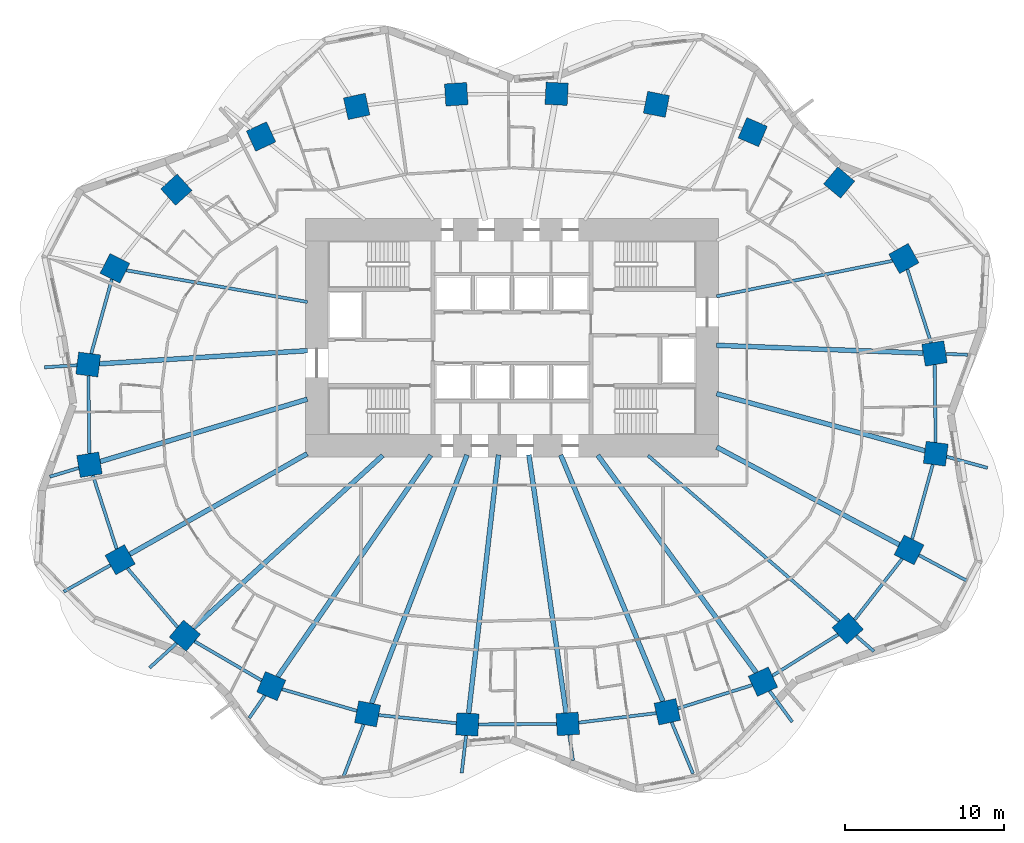
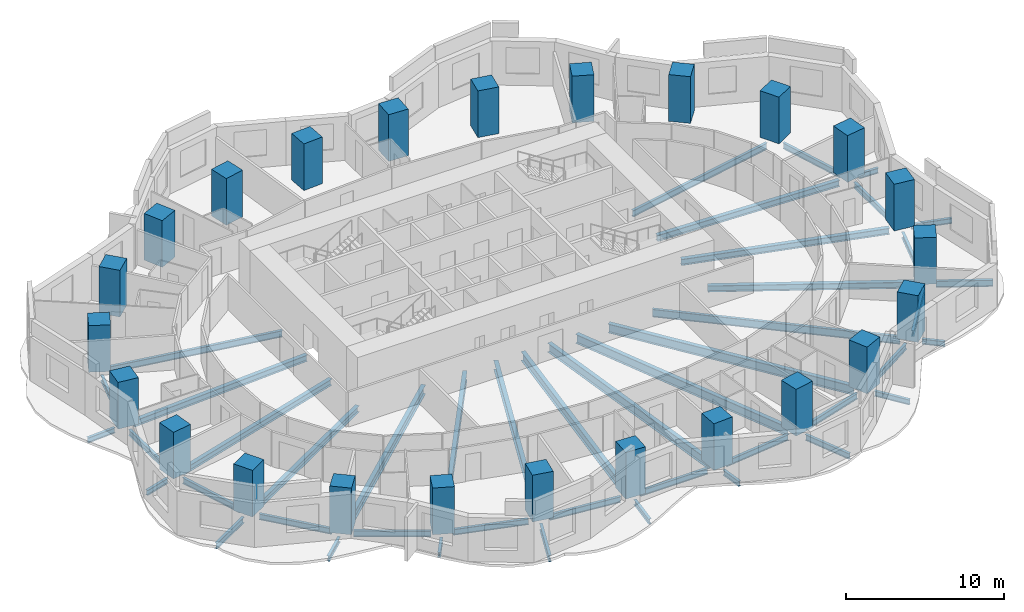
# One storey, part 1 of 11: 45 beams, 24 columns.
"""IFC4 building model written with IfcOpenShell, lengths in metres."""

from ifc_helpers import new_model, si_unit, direction, frame, origin, origin_2d, place, context, subcontext, project, spatial, rectangle, i_section, extrude, material, material_profile, profile_set, type_object, element, save


model = new_model("IFC4")

# Units and contexts
model_context = context("Model", 3, precision=1e-05, world=origin(), true_north=direction((0.0, 1.0)))
body_context = subcontext(model_context, "Body", "Model", "MODEL_VIEW")
ifc_project = project(units=[si_unit("LENGTHUNIT", "METRE"), si_unit("AREAUNIT", "SQUARE_METRE"), si_unit("VOLUMEUNIT", "CUBIC_METRE"), si_unit("PLANEANGLEUNIT", "RADIAN"), si_unit("MASSUNIT", "GRAM", prefix="KILO")], contexts=[model_context])

# Site, building, storey
site_placement = place(None, origin())
site = spatial("IfcSite", under=ifc_project, at=site_placement, CompositionType="ELEMENT")
building_placement = place(site_placement, origin())
building = spatial("IfcBuilding", under=site, at=building_placement, Name="Rubra Terraces Tower", CompositionType="ELEMENT")
storey_placement = place(building_placement, frame((0.0, 0.0, 51.89990234375)))
storey = spatial("IfcBuildingStorey", under=building, at=storey_placement, Name="L10", CompositionType="ELEMENT", Elevation=51.89990234375)

# Columns
ifc_material_1 = material(Name="Concrete C60", Category="concrete")
ifc_material_profile_1 = material_profile(ifc_material_1, rectangle(XDim=1.39990234375, YDim=1.39990234375, at=origin_2d()), Name="RC 1400x1400")
ifc_profile_set_1 = profile_set([ifc_material_profile_1], Name="Concrete C60")
column_type = type_object("IfcColumnType", Name="RING COLUMN RC 1400x1400 C60", PredefinedType="COLUMN", material=ifc_profile_set_1)
for number, where, z_axis, x_axis, name in (
    (1, (26.60498046875, 3.5029296875, 0.0), (0.0, 0.0, 1.0), (-0.161234051287, 0.986916197408, 0.0), "column-L10-ring-01"),
    (2, (24.676025390625, 9.48291015625, 0.0), (0.0, 0.0, 1.0), (-0.487226597714, 0.873275582208, 0.0), "column-L10-ring-02"),
    (3, (20.60009765625, 14.26611328125, 0.0), (0.0, 0.0, 1.0), (-0.767209547574, 0.641396531104, 0.0), "column-L10-ring-03"),
    (4, (15.156982421875, 17.44091796875, 0.0), (0.0, 0.0, 1.0), (-0.919293738002, 0.393572132232, 0.0), "column-L10-ring-04"),
    (5, (9.093994140625, 19.19189453125, 0.0), (0.0, 0.0, 1.0), (-0.981430410798, 0.191818530806, 0.0), "column-L10-ring-05"),
    (6, (2.81103515625, 19.85400390625, 0.0), (0.0, 0.0, 1.0), (-0.99874501614, 0.050083857035, 0.0), "column-L10-ring-06"),
    (7, (-3.509033203125, 19.823974609375, 0.0), (0.0, 0.0, 1.0), (-0.9980076013, -0.063093801177, 0.0), "column-L10-ring-07"),
    (8, (-9.780029296875, 19.05810546875, 0.0), (0.0, 0.0, 1.0), (-0.977386186482, -0.211462153764, 0.0), "column-L10-ring-08"),
    (9, (-15.799072265625, 17.1650390625, 0.0), (0.0, 0.0, 1.0), (-0.907952363445, -0.419073389413, 0.0), "column-L10-ring-09"),
    (10, (-21.135009765625, 13.81689453125, 0.0), (0.0, 0.0, 1.0), (-0.742675944539, -0.66965098477, 0.0), "column-L10-ring-10"),
    (11, (-25.0029296875, 8.865966796875, 0.0), (0.0, 0.0, 1.0), (-0.450098906028, -0.892978709036, 0.0), "column-L10-ring-11"),
    (12, (-26.68408203125, 2.80810546875, 0.0), (0.0, 0.0, 1.0), (-0.128444510405, -0.991716697322, 0.0), "column-L10-ring-12"),
    (13, (-26.60498046875, -3.5029296875, 0.0), (0.0, 0.0, 1.0), (0.161234051287, -0.986916197408, 0.0), "column-L10-ring-13"),
    (14, (-24.676025390625, -9.48291015625, 0.0), (0.0, 0.0, 1.0), (0.487226597714, -0.873275582208, 0.0), "column-L10-ring-14"),
    (15, (-20.60009765625, -14.26611328125, 0.0), (0.0, 0.0, 1.0), (0.767209547574, -0.641396531104, 0.0), "column-L10-ring-15"),
    (16, (-15.156982421875, -17.44091796875, 0.0), (0.0, 0.0, 1.0), (0.919293738002, -0.393572132232, 0.0), "column-L10-ring-16"),
    (17, (-9.093994140625, -19.19189453125, 0.0), (0.0, 0.0, 1.0), (0.981430410798, -0.191818530806, 0.0), "column-L10-ring-17"),
    (18, (-2.81103515625, -19.85400390625, 0.0), (0.0, 0.0, 1.0), (0.99874501614, -0.050083857035, 0.0), "column-L10-ring-18"),
    (19, (3.509033203125, -19.823974609375, 0.0), (0.0, 0.0, 1.0), (0.9980076013, 0.063093801177, 0.0), "column-L10-ring-19"),
    (20, (9.780029296875, -19.05810546875, 0.0), (0.0, 0.0, 1.0), (0.977386186482, 0.211462153764, 0.0), "column-L10-ring-20"),
    (21, (15.799072265625, -17.1650390625, 0.0), (0.0, 0.0, 1.0), (0.907952363445, 0.419073389413, 0.0), "column-L10-ring-21"),
    (22, (21.135009765625, -13.81689453125, 0.0), (0.0, 0.0, 1.0), (0.742675944539, 0.66965098477, 0.0), "column-L10-ring-22"),
    (23, (25.0029296875, -8.865966796875, 0.0), (0.0, 0.0, 1.0), (0.450098906028, 0.892978709036, 0.0), "column-L10-ring-23"),
    (24, (26.68408203125, -2.80810546875, 0.0), (0.0, 0.0, 1.0), (0.128444510405, 0.991716697322, 0.0), "column-L10-ring-24"),
):
    element("IfcColumn", number, at=place(storey_placement, frame(where, z_axis=z_axis, x_axis=x_axis)), inside=storey, type_object=column_type, Name=name, PredefinedType="COLUMN", context=body_context, shape_type="SweptSolid", body=[
        extrude(rectangle(XDim=1.39990234375, YDim=1.39990234375, at=origin_2d()), origin(), (0.0, 0.0, 1.0), 3.60009765625),
    ])

# Beams
ifc_material_2 = material(Name="Steel Q355B", Category="steel")
ifc_material_profile_2 = material_profile(ifc_material_2, i_section(OverallWidth=0.199951171875, OverallDepth=0.39990234375, WebThickness=0.008056640625, FlangeThickness=0.012939453125, at=origin_2d()), Name="HN 400x200x8x13")
ifc_profile_set_2 = profile_set([ifc_material_profile_2], Name="Steel Q355B")
beam_type_1 = type_object("IfcBeamType", Name="CANTILEVER BEAM HN 400x200x8x13", PredefinedType="BEAM", material=ifc_profile_set_2)
beam_1_placement = place(storey_placement, frame((-27.39599609375, 2.762939453125, -0.39990234375), z_axis=(-0.997987100921, -0.063417240527, 0.0), x_axis=(0.063417240527, -0.997987100921, 0.0)))
element("IfcBeam", 25, at=beam_1_placement, inside=storey, type_object=beam_type_1, Name="beam-L10-cant-12", PredefinedType="BEAM", context=body_context, shape_type="SweptSolid", body=[
    extrude(i_section(OverallWidth=0.199951171875, OverallDepth=0.39990234375, WebThickness=0.008056640625, FlangeThickness=0.012939453125, at=origin_2d()), origin(), (0.0, 0.0, 1.0), 2.048095703125),
])
beam_2_placement = place(storey_placement, frame((-27.281005859375, -3.7060546875, -0.39990234375), z_axis=(-0.957547006663, -0.288277175703, 0.0), x_axis=(0.288277175703, -0.957547006663, 0.0)))
element("IfcBeam", 26, at=beam_2_placement, inside=storey, type_object=beam_type_1, Name="beam-L10-cant-13", PredefinedType="BEAM", context=body_context, shape_type="SweptSolid", body=[
    extrude(i_section(OverallWidth=0.199951171875, OverallDepth=0.39990234375, WebThickness=0.008056640625, FlangeThickness=0.012939453125, at=origin_2d()), origin(), (0.0, 0.0, 1.0), 1.90380859375),
])
beam_3_placement = place(storey_placement, frame((-21.1220703125, -14.741943359375, -0.39990234375), z_axis=(-0.739203396286, -0.673482248407, 0.0), x_axis=(0.673482248407, -0.739203396286, 0.0)))
element("IfcBeam", 27, at=beam_3_placement, inside=storey, type_object=beam_type_1, Name="beam-L10-cant-15", PredefinedType="BEAM", context=body_context, shape_type="SweptSolid", body=[
    extrude(i_section(OverallWidth=0.199951171875, OverallDepth=0.39990234375, WebThickness=0.008056640625, FlangeThickness=0.012939453125, at=origin_2d()), origin(), (0.0, 0.0, 1.0), 2.295654296875),
])
beam_4_placement = place(storey_placement, frame((-15.56298828125, -18.029052734375, -0.39990234375), z_axis=(-0.568372795254, -0.822771150208, 0.0), x_axis=(0.822771150208, -0.568372795254, 0.0)))
element("IfcBeam", 28, at=beam_4_placement, inside=storey, type_object=beam_type_1, Name="beam-L10-cant-16", PredefinedType="BEAM", context=body_context, shape_type="SweptSolid", body=[
    extrude(i_section(OverallWidth=0.199951171875, OverallDepth=0.39990234375, WebThickness=0.008056640625, FlangeThickness=0.012939453125, at=origin_2d()), origin(), (0.0, 0.0, 1.0), 1.729248046875),
])
beam_5_placement = place(storey_placement, frame((-2.89111328125, -20.551025390625, -0.39990234375), z_axis=(-0.115009274268, -0.993364417942, 0.0), x_axis=(0.993364417942, -0.115009274268, 0.0)))
element("IfcBeam", 29, at=beam_5_placement, inside=storey, type_object=beam_type_1, Name="beam-L10-cant-18", PredefinedType="BEAM", context=body_context, shape_type="SweptSolid", body=[
    extrude(i_section(OverallWidth=0.199951171875, OverallDepth=0.39990234375, WebThickness=0.008056640625, FlangeThickness=0.012939453125, at=origin_2d()), origin(), (0.0, 0.0, 1.0), 2.3818359375),
])
beam_6_placement = place(storey_placement, frame((3.60888671875, -20.51904296875, -0.39990234375), z_axis=(0.143199401523, -0.989693857414, 0.0), x_axis=(0.989693857414, 0.143199401523, 0.0)))
element("IfcBeam", 30, at=beam_6_placement, inside=storey, type_object=beam_type_1, Name="beam-L10-cant-19", PredefinedType="BEAM", context=body_context, shape_type="SweptSolid", body=[
    extrude(i_section(OverallWidth=0.199951171875, OverallDepth=0.39990234375, WebThickness=0.008056640625, FlangeThickness=0.012939453125, at=origin_2d()), origin(), (0.0, 0.0, 1.0), 1.614501953125),
])
beam_7_placement = place(storey_placement, frame((16.219970703125, -17.741943359375, -0.39990234375), z_axis=(0.589172157449, -0.808007530216, 0.0), x_axis=(0.808007530216, 0.589172157449, 0.0)))
element("IfcBeam", 31, at=beam_7_placement, inside=storey, type_object=beam_type_1, Name="beam-L10-cant-21", PredefinedType="BEAM", context=body_context, shape_type="SweptSolid", body=[
    extrude(i_section(OverallWidth=0.199951171875, OverallDepth=0.39990234375, WebThickness=0.008056640625, FlangeThickness=0.012939453125, at=origin_2d()), origin(), (0.0, 0.0, 1.0), 2.422119140625),
])
beam_8_placement = place(storey_placement, frame((21.66796875, -14.279052734375, -0.39990234375), z_axis=(0.755672764908, -0.654949366269, 0.0), x_axis=(0.654949366269, 0.755672764908, 0.0)))
element("IfcBeam", 32, at=beam_8_placement, inside=storey, type_object=beam_type_1, Name="beam-L10-cant-22", PredefinedType="BEAM", context=body_context, shape_type="SweptSolid", body=[
    extrude(i_section(OverallWidth=0.199951171875, OverallDepth=0.39990234375, WebThickness=0.008056640625, FlangeThickness=0.012939453125, at=origin_2d()), origin(), (0.0, 0.0, 1.0), 1.48095703125),
])
beam_9_placement = place(storey_placement, frame((27.365966796875, -2.9951171875, -0.39990234375), z_axis=(0.964544084277, -0.263921786684, 0.0), x_axis=(0.263921786684, 0.964544084277, 0.0)))
element("IfcBeam", 33, at=beam_9_placement, inside=storey, type_object=beam_type_1, Name="beam-L10-cant-24", PredefinedType="BEAM", context=body_context, shape_type="SweptSolid", body=[
    extrude(i_section(OverallWidth=0.199951171875, OverallDepth=0.39990234375, WebThickness=0.008056640625, FlangeThickness=0.012939453125, at=origin_2d()), origin(), (0.0, 0.0, 1.0), 2.670654296875),
])
ifc_material_profile_3 = material_profile(ifc_material_2, i_section(OverallWidth=0.198974609375, OverallDepth=0.446044921875, WebThickness=0.008056640625, FlangeThickness=0.011962890625, at=origin_2d()), Name="HN 446x199x8x12")
ifc_profile_set_3 = profile_set([ifc_material_profile_3], Name="Steel Q355B")
beam_type_2 = type_object("IfcBeamType", Name="CANTILEVER BEAM HN 446x199x8x12", PredefinedType="BEAM", material=ifc_profile_set_3)
beam_10_placement = place(storey_placement, frame((-25.284912109375, -9.827880859375, -0.4228515625), z_axis=(-0.869963288166, -0.493116494596, 0.0), x_axis=(0.493116494596, -0.869963288166, 0.0)))
element("IfcBeam", 34, at=beam_10_placement, inside=storey, type_object=beam_type_2, Name="beam-L10-cant-14", PredefinedType="BEAM", context=body_context, shape_type="SweptSolid", body=[
    extrude(i_section(OverallWidth=0.198974609375, OverallDepth=0.446044921875, WebThickness=0.008056640625, FlangeThickness=0.011962890625, at=origin_2d()), origin(), (0.0, 0.0, 1.0), 3.378662109375),
])
beam_11_placement = place(storey_placement, frame((10.052978515625, -19.715087890625, -0.4228515625), z_axis=(0.383477452427, -0.923550238742, 0.0), x_axis=(0.923550238742, 0.383477452427, 0.0)))
element("IfcBeam", 35, at=beam_11_placement, inside=storey, type_object=beam_type_2, Name="beam-L10-cant-20", PredefinedType="BEAM", context=body_context, shape_type="SweptSolid", body=[
    extrude(i_section(OverallWidth=0.198974609375, OverallDepth=0.446044921875, WebThickness=0.008056640625, FlangeThickness=0.011962890625, at=origin_2d()), origin(), (0.0, 0.0, 1.0), 3.504638671875),
])
ifc_material_profile_4 = material_profile(ifc_material_2, i_section(OverallWidth=0.198974609375, OverallDepth=0.49609375, WebThickness=0.009033203125, FlangeThickness=0.013916015625, at=origin_2d()), Name="HN 496x199x9x14")
ifc_profile_set_4 = profile_set([ifc_material_profile_4], Name="Steel Q355B")
beam_type_3 = type_object("IfcBeamType", Name="CANTILEVER BEAM HN 496x199x9x14", PredefinedType="BEAM", material=ifc_profile_set_4)
beam_12_placement = place(storey_placement, frame((-9.34912109375, -19.85498046875, -0.447998046875), z_axis=(-0.358128312142, -0.933672379393, 0.0), x_axis=(0.933672379393, -0.358128312142, 0.0)))
element("IfcBeam", 36, at=beam_12_placement, inside=storey, type_object=beam_type_3, Name="beam-L10-cant-17", PredefinedType="BEAM", context=body_context, shape_type="SweptSolid", body=[
    extrude(i_section(OverallWidth=0.198974609375, OverallDepth=0.49609375, WebThickness=0.009033203125, FlangeThickness=0.013916015625, at=origin_2d()), origin(), (0.0, 0.0, 1.0), 3.61572265625),
])
beam_13_placement = place(storey_placement, frame((25.62109375, -9.196044921875, -0.447998046875), z_axis=(0.881799105952, -0.471625207917, 0.0), x_axis=(0.471625207917, 0.881799105952, 0.0)))
element("IfcBeam", 37, at=beam_13_placement, inside=storey, type_object=beam_type_3, Name="beam-L10-cant-23", PredefinedType="BEAM", context=body_context, shape_type="SweptSolid", body=[
    extrude(i_section(OverallWidth=0.198974609375, OverallDepth=0.49609375, WebThickness=0.009033203125, FlangeThickness=0.013916015625, at=origin_2d()), origin(), (0.0, 0.0, 1.0), 3.591552734375),
])
ifc_material_profile_5 = material_profile(ifc_material_2, i_section(OverallWidth=0.199951171875, OverallDepth=0.39990234375, WebThickness=0.008056640625, FlangeThickness=0.012939453125, at=origin_2d()), Name="HN 400x200x8x13")
ifc_profile_set_5 = profile_set([ifc_material_profile_5], Name="Steel Q355B")
beam_type_4 = type_object("IfcBeamType", Name="CANTILEVER STUB HN 400x200x8x13", PredefinedType="BEAM", material=ifc_profile_set_5)
beam_14_placement = place(storey_placement, frame((27.319091796875, 3.47607421875, -0.39990234375), z_axis=(0.99929272243, -0.037603921316, 0.0), x_axis=(0.037603921316, 0.99929272243, 0.0)))
element("IfcBeam", 38, at=beam_14_placement, inside=storey, type_object=beam_type_4, Name="beam-L10-cant-01", PredefinedType="BEAM", context=body_context, shape_type="SweptSolid", body=[
    extrude(i_section(OverallWidth=0.199951171875, OverallDepth=0.39990234375, WebThickness=0.008056640625, FlangeThickness=0.012939453125, at=origin_2d()), origin(), (0.0, 0.0, 1.0), 1.35693359375),
])
ifc_material_profile_6 = material_profile(ifc_material_2, i_section(OverallWidth=0.300048828125, OverallDepth=0.48193359375, WebThickness=0.010986328125, FlangeThickness=0.014892578125, at=origin_2d()), Name="HM 482x300x11x15")
ifc_profile_set_6 = profile_set([ifc_material_profile_6], Name="Steel Q355B")
beam_type_5 = type_object("IfcBeamType", Name="FLOOR BEAM HM 482x300x11x15", PredefinedType="BEAM", material=ifc_profile_set_6)
beam_15_placement = place(storey_placement, frame((25.89111328125, 3.530029296875, -0.44091796875), z_axis=(-0.999300088658, 0.037407657088, 0.0), x_axis=(-0.037407657088, -0.999300088658, 0.0)))
element("IfcBeam", 39, at=beam_15_placement, inside=storey, type_object=beam_type_5, Name="beam-L10-floor-01", PredefinedType="BEAM", context=body_context, shape_type="SweptSolid", body=[
    extrude(i_section(OverallWidth=0.300048828125, OverallDepth=0.48193359375, WebThickness=0.010986328125, FlangeThickness=0.014892578125, at=origin_2d()), origin(), (0.0, 0.0, 1.0), 13.020263671875),
])
beam_16_placement = place(storey_placement, frame((-25.971923828125, 2.85302734375, -0.44091796875), z_axis=(0.997996052936, 0.06327620662, 0.0), x_axis=(-0.06327620662, 0.997996052936, 0.0)))
element("IfcBeam", 40, at=beam_16_placement, inside=storey, type_object=beam_type_5, Name="beam-L10-floor-12", PredefinedType="BEAM", context=body_context, shape_type="SweptSolid", body=[
    extrude(i_section(OverallWidth=0.300048828125, OverallDepth=0.48193359375, WebThickness=0.010986328125, FlangeThickness=0.014892578125, at=origin_2d()), origin(), (0.0, 0.0, 1.0), 13.118408203125),
])
beam_17_placement = place(storey_placement, frame((-25.928955078125, -3.300048828125, -0.44091796875), z_axis=(0.957605991861, 0.288081176671, 0.0), x_axis=(-0.288081176671, 0.957605991861, 0.0)))
element("IfcBeam", 41, at=beam_17_placement, inside=storey, type_object=beam_type_5, Name="beam-L10-floor-13", PredefinedType="BEAM", context=body_context, shape_type="SweptSolid", body=[
    extrude(i_section(OverallWidth=0.300048828125, OverallDepth=0.48193359375, WebThickness=0.010986328125, FlangeThickness=0.014892578125, at=origin_2d()), origin(), (0.0, 0.0, 1.0), 13.621337890625),
])
beam_18_placement = place(storey_placement, frame((-24.06689453125, -9.137939453125, -0.44091796875), z_axis=(0.869992824144, 0.493064383157, 0.0), x_axis=(-0.493064383157, 0.869992824144, 0.0)))
element("IfcBeam", 42, at=beam_18_placement, inside=storey, type_object=beam_type_5, Name="beam-L10-floor-14", PredefinedType="BEAM", context=body_context, shape_type="SweptSolid", body=[
    extrude(i_section(OverallWidth=0.300048828125, OverallDepth=0.48193359375, WebThickness=0.010986328125, FlangeThickness=0.014892578125, at=origin_2d()), origin(), (0.0, 0.0, 1.0), 12.84033203125),
])
beam_19_placement = place(storey_placement, frame((24.385009765625, -8.535888671875, -0.44091796875), z_axis=(-0.881896613876, 0.471442851716, 0.0), x_axis=(-0.471442851716, -0.881896613876, 0.0)))
element("IfcBeam", 43, at=beam_19_placement, inside=storey, type_object=beam_type_5, Name="beam-L10-floor-23", PredefinedType="BEAM", context=body_context, shape_type="SweptSolid", body=[
    extrude(i_section(OverallWidth=0.300048828125, OverallDepth=0.48193359375, WebThickness=0.010986328125, FlangeThickness=0.014892578125, at=origin_2d()), origin(), (0.0, 0.0, 1.0), 13.02978515625),
])
beam_20_placement = place(storey_placement, frame((26.001953125, -2.62109375, -0.44091796875), z_axis=(-0.964494059772, 0.264104541167, 0.0), x_axis=(-0.264104541167, -0.964494059772, 0.0)))
element("IfcBeam", 44, at=beam_20_placement, inside=storey, type_object=beam_type_5, Name="beam-L10-floor-24", PredefinedType="BEAM", context=body_context, shape_type="SweptSolid", body=[
    extrude(i_section(OverallWidth=0.300048828125, OverallDepth=0.48193359375, WebThickness=0.010986328125, FlangeThickness=0.014892578125, at=origin_2d()), origin(), (0.0, 0.0, 1.0), 13.600830078125),
])
ifc_material_profile_7 = material_profile(ifc_material_2, i_section(OverallWidth=0.198974609375, OverallDepth=0.49609375, WebThickness=0.009033203125, FlangeThickness=0.013916015625, at=origin_2d()), Name="HN 496x199x9x14")
ifc_profile_set_7 = profile_set([ifc_material_profile_7], Name="Steel Q355B")
beam_type_6 = type_object("IfcBeamType", Name="FLOOR BEAM HN 496x199x9x14", PredefinedType="BEAM", material=ifc_profile_set_7)
beam_21_placement = place(storey_placement, frame((23.9560546875, 9.337890625, -0.447998046875), z_axis=(-0.980204035637, -0.197990021264, 0.0), x_axis=(0.197990021264, -0.980204035637, 0.0)))
element("IfcBeam", 45, at=beam_21_placement, inside=storey, type_object=beam_type_6, Name="beam-L10-floor-02", PredefinedType="BEAM", context=body_context, shape_type="SweptSolid", body=[
    extrude(i_section(OverallWidth=0.198974609375, OverallDepth=0.49609375, WebThickness=0.009033203125, FlangeThickness=0.013916015625, at=origin_2d()), origin(), (0.0, 0.0, 1.0), 11.297607421875),
])
beam_22_placement = place(storey_placement, frame((-24.282958984375, 8.739990234375, -0.447998046875), z_axis=(0.985091834527, -0.172029292701, 0.0), x_axis=(0.172029292701, 0.985091834527, 0.0)))
element("IfcBeam", 46, at=beam_22_placement, inside=storey, type_object=beam_type_6, Name="beam-L10-floor-11", PredefinedType="BEAM", context=body_context, shape_type="SweptSolid", body=[
    extrude(i_section(OverallWidth=0.198974609375, OverallDepth=0.49609375, WebThickness=0.009033203125, FlangeThickness=0.013916015625, at=origin_2d()), origin(), (0.0, 0.0, 1.0), 11.573486328125),
])
ifc_material_profile_8 = material_profile(ifc_material_2, i_section(OverallWidth=0.198974609375, OverallDepth=0.595947265625, WebThickness=0.010009765625, FlangeThickness=0.014892578125, at=origin_2d()), Name="HN 596x199x10x15")
ifc_profile_set_8 = profile_set([ifc_material_profile_8], Name="Steel Q355B")
beam_type_7 = type_object("IfcBeamType", Name="FLOOR BEAM HN 596x199x10x15", PredefinedType="BEAM", material=ifc_profile_set_8)
beam_23_placement = place(storey_placement, frame((20.60205078125, -13.35498046875, -0.497802734375), z_axis=(-0.755682003913, 0.654938706263, 0.0), x_axis=(-0.654938706263, -0.755682003913, 0.0)))
element("IfcBeam", 47, at=beam_23_placement, inside=storey, type_object=beam_type_7, Name="beam-L10-floor-22", PredefinedType="BEAM", context=body_context, shape_type="SweptSolid", body=[
    extrude(i_section(OverallWidth=0.198974609375, OverallDepth=0.595947265625, WebThickness=0.010009765625, FlangeThickness=0.014892578125, at=origin_2d()), origin(), (0.0, 0.0, 1.0), 15.931396484375),
])
ifc_material_profile_9 = material_profile(ifc_material_2, i_section(OverallWidth=0.300048828125, OverallDepth=0.699951171875, WebThickness=0.012939453125, FlangeThickness=0.02392578125, at=origin_2d()), Name="HN 700x300x13x24")
ifc_profile_set_9 = profile_set([ifc_material_profile_9], Name="Steel Q355B")
beam_type_8 = type_object("IfcBeamType", Name="FLOOR BEAM HN 700x300x13x24", PredefinedType="BEAM", material=ifc_profile_set_9)
beam_24_placement = place(storey_placement, frame((-20.077880859375, -13.7900390625, -0.5498046875), z_axis=(0.739256734846, 0.673423700195, 0.0), x_axis=(-0.673423700195, 0.739256734846, 0.0)))
element("IfcBeam", 48, at=beam_24_placement, inside=storey, type_object=beam_type_8, Name="beam-L10-floor-15", PredefinedType="BEAM", context=body_context, shape_type="SweptSolid", body=[
    extrude(i_section(OverallWidth=0.300048828125, OverallDepth=0.699951171875, WebThickness=0.012939453125, FlangeThickness=0.02392578125, at=origin_2d()), origin(), (0.0, 0.0, 1.0), 16.14306640625),
])
beam_25_placement = place(storey_placement, frame((-14.7509765625, -16.85302734375, -0.5498046875), z_axis=(0.568362941886, 0.822777956858, 0.0), x_axis=(-0.822777956858, 0.568362941886, 0.0)))
element("IfcBeam", 49, at=beam_25_placement, inside=storey, type_object=beam_type_8, Name="beam-L10-floor-16", PredefinedType="BEAM", context=body_context, shape_type="SweptSolid", body=[
    extrude(i_section(OverallWidth=0.300048828125, OverallDepth=0.699951171875, WebThickness=0.012939453125, FlangeThickness=0.02392578125, at=origin_2d()), origin(), (0.0, 0.0, 1.0), 16.957275390625),
])
beam_26_placement = place(storey_placement, frame((-8.839111328125, -18.529052734375, -0.5498046875), z_axis=(0.358321803184, 0.933598139117, 0.0), x_axis=(-0.933598139117, 0.358321803184, 0.0)))
element("IfcBeam", 50, at=beam_26_placement, inside=storey, type_object=beam_type_8, Name="beam-L10-floor-17", PredefinedType="BEAM", context=body_context, shape_type="SweptSolid", body=[
    extrude(i_section(OverallWidth=0.300048828125, OverallDepth=0.699951171875, WebThickness=0.012939453125, FlangeThickness=0.02392578125, at=origin_2d()), origin(), (0.0, 0.0, 1.0), 16.753662109375),
])
beam_27_placement = place(storey_placement, frame((-2.73095703125, -19.156982421875, -0.5498046875), z_axis=(0.114679535872, 0.993402538779, 0.0), x_axis=(-0.993402538779, 0.114679535872, 0.0)))
element("IfcBeam", 51, at=beam_27_placement, inside=storey, type_object=beam_type_8, Name="beam-L10-floor-18", PredefinedType="BEAM", context=body_context, shape_type="SweptSolid", body=[
    extrude(i_section(OverallWidth=0.300048828125, OverallDepth=0.699951171875, WebThickness=0.012939453125, FlangeThickness=0.02392578125, at=origin_2d()), origin(), (0.0, 0.0, 1.0), 16.384033203125),
])
beam_28_placement = place(storey_placement, frame((3.408935546875, -19.12890625, -0.5498046875), z_axis=(-0.142787075711, 0.9897534294, 0.0), x_axis=(-0.9897534294, -0.142787075711, 0.0)))
element("IfcBeam", 52, at=beam_28_placement, inside=storey, type_object=beam_type_8, Name="beam-L10-floor-19", PredefinedType="BEAM", context=body_context, shape_type="SweptSolid", body=[
    extrude(i_section(OverallWidth=0.300048828125, OverallDepth=0.699951171875, WebThickness=0.012939453125, FlangeThickness=0.02392578125, at=origin_2d()), origin(), (0.0, 0.0, 1.0), 16.416015625),
])
beam_29_placement = place(storey_placement, frame((9.507080078125, -18.40087890625, -0.5498046875), z_axis=(-0.383379543301, 0.923590886582, 0.0), x_axis=(-0.923590886582, -0.383379543301, 0.0)))
element("IfcBeam", 53, at=beam_29_placement, inside=storey, type_object=beam_type_8, Name="beam-L10-floor-20", PredefinedType="BEAM", context=body_context, shape_type="SweptSolid", body=[
    extrude(i_section(OverallWidth=0.300048828125, OverallDepth=0.699951171875, WebThickness=0.012939453125, FlangeThickness=0.02392578125, at=origin_2d()), origin(), (0.0, 0.0, 1.0), 16.795166015625),
])
beam_30_placement = place(storey_placement, frame((15.3779296875, -16.587890625, -0.5498046875), z_axis=(-0.58919117553, 0.807993662523, 0.0), x_axis=(-0.807993662523, -0.58919117553, 0.0)))
element("IfcBeam", 54, at=beam_30_placement, inside=storey, type_object=beam_type_8, Name="beam-L10-floor-21", PredefinedType="BEAM", context=body_context, shape_type="SweptSolid", body=[
    extrude(i_section(OverallWidth=0.300048828125, OverallDepth=0.699951171875, WebThickness=0.012939453125, FlangeThickness=0.02392578125, at=origin_2d()), origin(), (0.0, 0.0, 1.0), 16.936767578125),
])
ifc_material_profile_10 = material_profile(ifc_material_2, i_section(OverallWidth=0.198974609375, OverallDepth=0.446044921875, WebThickness=0.008056640625, FlangeThickness=0.011962890625, at=origin_2d()), Name="HN 446x199x8x12")
ifc_profile_set_10 = profile_set([ifc_material_profile_10], Name="Steel Q355B")
beam_type_9 = type_object("IfcBeamType", Name="SPANDREL BEAM HN 446x199x8x12", PredefinedType="SPANDREL", material=ifc_profile_set_10)
beam_31_placement = place(storey_placement, frame((26.387939453125, 4.177001953125, -0.4228515625), z_axis=(-0.30706880261, 0.951687317591, 0.0), x_axis=(-0.951687317591, -0.30706880261, 0.0)))
element("IfcBeam", 55, at=beam_31_placement, inside=storey, type_object=beam_type_9, Name="beam-L10-spandrel-01", PredefinedType="SPANDREL", context=body_context, shape_type="SweptSolid", body=[
    extrude(i_section(OverallWidth=0.198974609375, OverallDepth=0.446044921875, WebThickness=0.008056640625, FlangeThickness=0.011962890625, at=origin_2d()), origin(), (0.0, 0.0, 1.0), 4.86181640625),
])
beam_32_placement = place(storey_placement, frame((-25.194091796875, 8.177978515625, -0.4228515625), z_axis=(-0.267364386726, -0.96359549849, 0.0), x_axis=(0.96359549849, -0.267364386726, 0.0)))
element("IfcBeam", 56, at=beam_32_placement, inside=storey, type_object=beam_type_9, Name="beam-L10-spandrel-11", PredefinedType="SPANDREL", context=body_context, shape_type="SweptSolid", body=[
    extrude(i_section(OverallWidth=0.198974609375, OverallDepth=0.446044921875, WebThickness=0.008056640625, FlangeThickness=0.011962890625, at=origin_2d()), origin(), (0.0, 0.0, 1.0), 4.8662109375),
])
beam_33_placement = place(storey_placement, frame((-26.675048828125, 2.10107421875, -0.4228515625), z_axis=(0.012465372298, -0.999922304228, 0.0), x_axis=(0.999922304228, 0.012465372298, 0.0)))
element("IfcBeam", 57, at=beam_33_placement, inside=storey, type_object=beam_type_9, Name="beam-L10-spandrel-12", PredefinedType="SPANDREL", context=body_context, shape_type="SweptSolid", body=[
    extrude(i_section(OverallWidth=0.198974609375, OverallDepth=0.446044921875, WebThickness=0.008056640625, FlangeThickness=0.011962890625, at=origin_2d()), origin(), (0.0, 0.0, 1.0), 4.896484375),
])
beam_34_placement = place(storey_placement, frame((-26.387939453125, -4.177001953125, -0.4228515625), z_axis=(0.30706880261, -0.951687317591, 0.0), x_axis=(0.951687317591, 0.30706880261, 0.0)))
element("IfcBeam", 58, at=beam_34_placement, inside=storey, type_object=beam_type_9, Name="beam-L10-spandrel-13", PredefinedType="SPANDREL", context=body_context, shape_type="SweptSolid", body=[
    extrude(i_section(OverallWidth=0.198974609375, OverallDepth=0.446044921875, WebThickness=0.008056640625, FlangeThickness=0.011962890625, at=origin_2d()), origin(), (0.0, 0.0, 1.0), 4.86181640625),
])
beam_35_placement = place(storey_placement, frame((-24.212890625, -10.02587890625, -0.4228515625), z_axis=(0.648447050824, -0.761259760054, 0.0), x_axis=(0.761259760054, 0.648447050824, 0.0)))
element("IfcBeam", 59, at=beam_35_placement, inside=storey, type_object=beam_type_9, Name="beam-L10-spandrel-14", PredefinedType="SPANDREL", context=body_context, shape_type="SweptSolid", body=[
    extrude(i_section(OverallWidth=0.198974609375, OverallDepth=0.446044921875, WebThickness=0.008056640625, FlangeThickness=0.011962890625, at=origin_2d()), origin(), (0.0, 0.0, 1.0), 4.860595703125),
])
beam_36_placement = place(storey_placement, frame((-19.987060546875, -14.6240234375, -0.4228515625), z_axis=(0.863806081452, -0.503824427402, 0.0), x_axis=(0.503824427402, 0.863806081452, 0.0)))
element("IfcBeam", 60, at=beam_36_placement, inside=storey, type_object=beam_type_9, Name="beam-L10-spandrel-15", PredefinedType="SPANDREL", context=body_context, shape_type="SweptSolid", body=[
    extrude(i_section(OverallWidth=0.198974609375, OverallDepth=0.446044921875, WebThickness=0.008056640625, FlangeThickness=0.011962890625, at=origin_2d()), origin(), (0.0, 0.0, 1.0), 4.886474609375),
])
beam_37_placement = place(storey_placement, frame((-14.47900390625, -17.636962890625, -0.4228515625), z_axis=(0.960743980202, -0.277436487337, 0.0), x_axis=(0.277436487337, 0.960743980202, 0.0)))
element("IfcBeam", 61, at=beam_37_placement, inside=storey, type_object=beam_type_9, Name="beam-L10-spandrel-16", PredefinedType="SPANDREL", context=body_context, shape_type="SweptSolid", body=[
    extrude(i_section(OverallWidth=0.198974609375, OverallDepth=0.446044921875, WebThickness=0.008056640625, FlangeThickness=0.011962890625, at=origin_2d()), origin(), (0.0, 0.0, 1.0), 4.90234375),
])
beam_38_placement = place(storey_placement, frame((-8.39501953125, -19.26611328125, -0.4228515625), z_axis=(0.994495375694, -0.104780473964, 0.0), x_axis=(0.104780473964, 0.994495375694, 0.0)))
element("IfcBeam", 62, at=beam_38_placement, inside=storey, type_object=beam_type_9, Name="beam-L10-spandrel-17", PredefinedType="SPANDREL", context=body_context, shape_type="SweptSolid", body=[
    extrude(i_section(OverallWidth=0.198974609375, OverallDepth=0.446044921875, WebThickness=0.008056640625, FlangeThickness=0.011962890625, at=origin_2d()), origin(), (0.0, 0.0, 1.0), 4.9140625),
])
beam_39_placement = place(storey_placement, frame((-2.110107421875, -19.85107421875, -0.4228515625), z_axis=(0.999987924698, 0.004914311469, 0.0), x_axis=(-0.004914311469, 0.999987924698, 0.0)))
element("IfcBeam", 63, at=beam_39_placement, inside=storey, type_object=beam_type_9, Name="beam-L10-spandrel-18", PredefinedType="SPANDREL", context=body_context, shape_type="SweptSolid", body=[
    extrude(i_section(OverallWidth=0.198974609375, OverallDepth=0.446044921875, WebThickness=0.008056640625, FlangeThickness=0.011962890625, at=origin_2d()), origin(), (0.0, 0.0, 1.0), 4.918212890625),
])
beam_40_placement = place(storey_placement, frame((4.205078125, -19.739013671875, -0.4228515625), z_axis=(0.992616576014, 0.12129440639, 0.0), x_axis=(-0.12129440639, 0.992616576014, 0.0)))
element("IfcBeam", 64, at=beam_40_placement, inside=storey, type_object=beam_type_9, Name="beam-L10-spandrel-19", PredefinedType="SPANDREL", context=body_context, shape_type="SweptSolid", body=[
    extrude(i_section(OverallWidth=0.198974609375, OverallDepth=0.446044921875, WebThickness=0.008056640625, FlangeThickness=0.011962890625, at=origin_2d()), origin(), (0.0, 0.0, 1.0), 4.913330078125),
])
beam_41_placement = place(storey_placement, frame((10.450927734375, -18.846923828125, -0.4228515625), z_axis=(0.953954624663, 0.299950952796, 0.0), x_axis=(-0.299950952796, 0.953954624663, 0.0)))
element("IfcBeam", 65, at=beam_41_placement, inside=storey, type_object=beam_type_9, Name="beam-L10-spandrel-20", PredefinedType="SPANDREL", context=body_context, shape_type="SweptSolid", body=[
    extrude(i_section(OverallWidth=0.198974609375, OverallDepth=0.446044921875, WebThickness=0.008056640625, FlangeThickness=0.011962890625, at=origin_2d()), origin(), (0.0, 0.0, 1.0), 4.900634765625),
])
beam_42_placement = place(storey_placement, frame((16.39697265625, -16.7900390625, -0.4228515625), z_axis=(0.847078460197, 0.531467856291, 0.0), x_axis=(-0.531467856291, 0.847078460197, 0.0)))
element("IfcBeam", 66, at=beam_42_placement, inside=storey, type_object=beam_type_9, Name="beam-L10-spandrel-21", PredefinedType="SPANDREL", context=body_context, shape_type="SweptSolid", body=[
    extrude(i_section(OverallWidth=0.198974609375, OverallDepth=0.446044921875, WebThickness=0.008056640625, FlangeThickness=0.011962890625, at=origin_2d()), origin(), (0.0, 0.0, 1.0), 4.882568359375),
])
beam_43_placement = place(storey_placement, frame((21.572998046875, -13.257080078125, -0.4228515625), z_axis=(0.615577734286, 0.788076172112, 0.0), x_axis=(-0.788076172112, 0.615577734286, 0.0)))
element("IfcBeam", 67, at=beam_43_placement, inside=storey, type_object=beam_type_9, Name="beam-L10-spandrel-22", PredefinedType="SPANDREL", context=body_context, shape_type="SweptSolid", body=[
    extrude(i_section(OverallWidth=0.198974609375, OverallDepth=0.446044921875, WebThickness=0.008056640625, FlangeThickness=0.011962890625, at=origin_2d()), origin(), (0.0, 0.0, 1.0), 4.85888671875),
])
beam_44_placement = place(storey_placement, frame((25.194091796875, -8.177978515625, -0.4228515625), z_axis=(0.267364386726, 0.96359549849, 0.0), x_axis=(-0.96359549849, 0.267364386726, 0.0)))
element("IfcBeam", 68, at=beam_44_placement, inside=storey, type_object=beam_type_9, Name="beam-L10-spandrel-23", PredefinedType="SPANDREL", context=body_context, shape_type="SweptSolid", body=[
    extrude(i_section(OverallWidth=0.198974609375, OverallDepth=0.446044921875, WebThickness=0.008056640625, FlangeThickness=0.011962890625, at=origin_2d()), origin(), (0.0, 0.0, 1.0), 4.8662109375),
])
beam_45_placement = place(storey_placement, frame((26.675048828125, -2.10107421875, -0.4228515625), z_axis=(-0.012465372298, 0.999922304228, 0.0), x_axis=(-0.999922304228, -0.012465372298, 0.0)))
element("IfcBeam", 69, at=beam_45_placement, inside=storey, type_object=beam_type_9, Name="beam-L10-spandrel-24", PredefinedType="SPANDREL", context=body_context, shape_type="SweptSolid", body=[
    extrude(i_section(OverallWidth=0.198974609375, OverallDepth=0.446044921875, WebThickness=0.008056640625, FlangeThickness=0.011962890625, at=origin_2d()), origin(), (0.0, 0.0, 1.0), 4.896484375),
])

save(model, "model.ifc")
